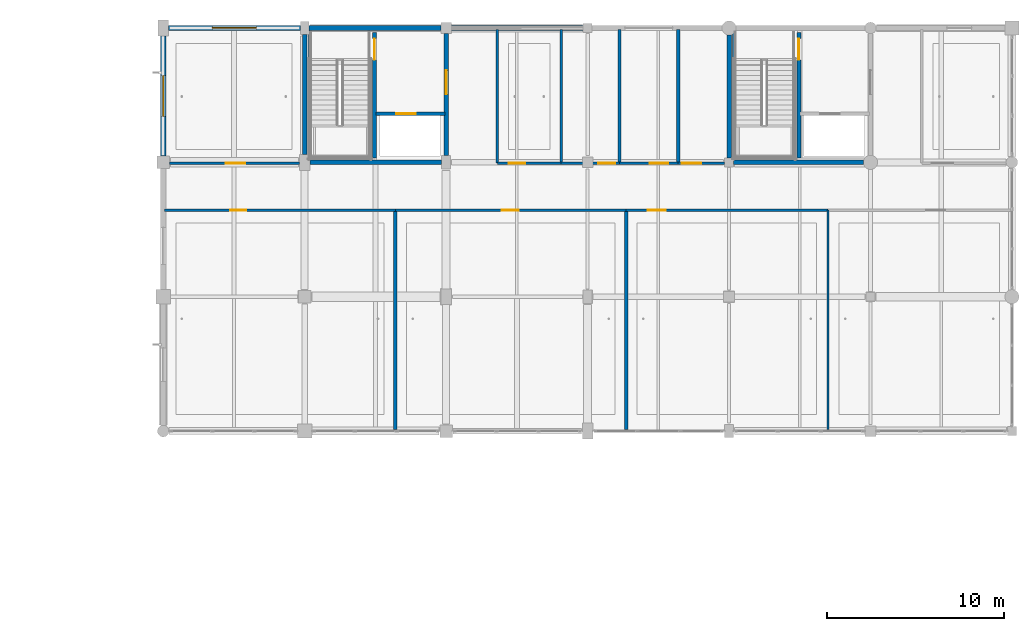
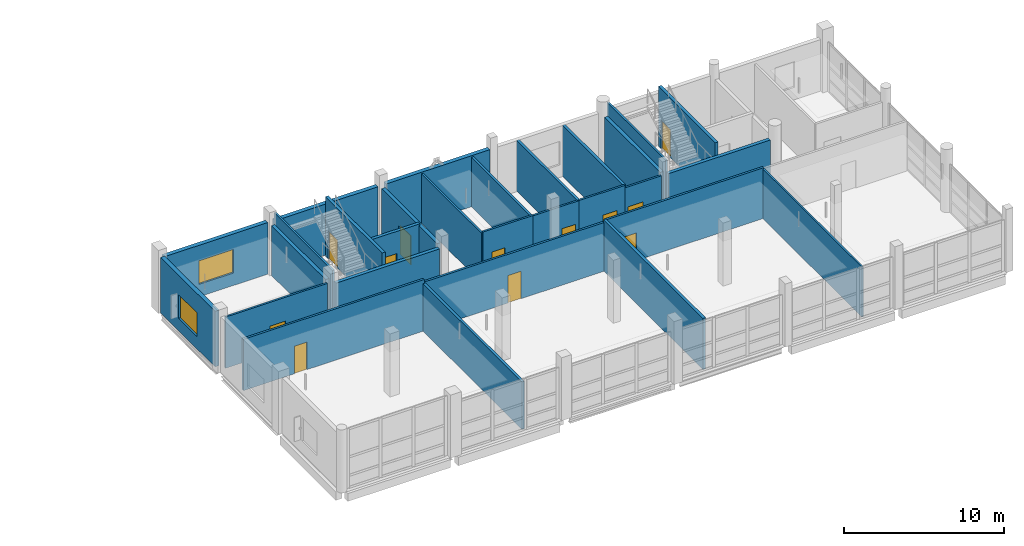
# One storey, part 35 of 46: 29 walls, 12 doors, 2 windows, 14 openings.
"""IFC4 building model written with IfcOpenShell, lengths in metres."""

from ifc_helpers import new_model, si_unit, direction, frame, frame_2d, origin, place, context, subcontext, project, spatial, rectangle, extrude, material, layer, layer_set, type_object, element, fill, save


model = new_model("IFC4")

# Units and contexts
model_context = context("Model", 3, precision=1e-05, world=origin(), true_north=direction((0.0, 1.0)))
body_context = subcontext(model_context, "Body", "Model", "MODEL_VIEW")
ifc_project = project(units=[si_unit("LENGTHUNIT", "METRE"), si_unit("AREAUNIT", "SQUARE_METRE"), si_unit("VOLUMEUNIT", "CUBIC_METRE"), si_unit("PLANEANGLEUNIT", "RADIAN"), si_unit("MASSUNIT", "GRAM", prefix="KILO")], contexts=[model_context])

# Site, building, storey
site_placement = place(None, origin())
site = spatial("IfcSite", under=ifc_project, at=site_placement, CompositionType="ELEMENT")
building_placement = place(site_placement, origin())
building = spatial("IfcBuilding", under=site, at=building_placement, Name="Khelvaren Railside Concert Hall", CompositionType="ELEMENT")
storey_placement = place(building_placement, frame((0.0, 0.0, 19.800048828125)))
storey = spatial("IfcBuildingStorey", under=building, at=storey_placement, Name="L04", CompositionType="ELEMENT", Elevation=19.800048828125)

# Walls
ifc_material_1 = material(Name="Concrete C40/50", Category="concrete")
ifc_layer_1 = layer(ifc_material_1, 0.139892578125)
ifc_layer_set_1 = layer_set([ifc_layer_1], Name="Concrete C40/50")
wall_type_1 = type_object("IfcWallType", Name="CW17", PredefinedType="SOLIDWALL", material=ifc_layer_set_1)
for number, where, z_axis, x_axis, name in (
    (1, (144.27490234375, 106.550048828125, 0.0), (0.0, 0.0, 1.0), (0.0, 1.0, 0.0), "Core Shaft Structural Liner Wall ST-09-L04"),
    (2, (168.27490234375, 106.550048828125, 0.0), (0.0, 0.0, 1.0), (0.0, 1.0, 0.0), "Core Shaft Structural Liner Wall ST-10-L04"),
):
    element("IfcWall", number, at=place(storey_placement, frame(where, z_axis=z_axis, x_axis=x_axis)), inside=storey, type_object=wall_type_1, Name=name, PredefinedType="SOLIDWALL", context=body_context, shape_type="SweptSolid", body=[
        extrude(rectangle(XDim=7.300048828125, YDim=0.139892578125, at=frame_2d((3.64990234375, 0.0))), origin(), (0.0, 0.0, 1.0), 4.5400390625),
    ])
ifc_layer_2 = layer(ifc_material_1, 0.25)
ifc_layer_set_2 = layer_set([ifc_layer_2], Name="Concrete C40/50")
wall_type_2 = type_object("IfcWallType", Name="CW82", PredefinedType="SOLIDWALL", material=ifc_layer_set_2)
wall_1_placement = place(storey_placement, frame((144.0, 106.85009765625, 0.0), z_axis=(0.0, 0.0, 1.0), x_axis=(0.0, 1.0, 0.0)))
element("IfcWall", 3, at=wall_1_placement, inside=storey, type_object=wall_type_2, Name="Core Enclosure Wall CWALL-ST-09-L04-W", PredefinedType="SOLIDWALL", context=body_context, shape_type="SweptSolid", body=[
    extrude(rectangle(XDim=6.77490234375, YDim=0.25, at=frame_2d((3.387451171875, 0.0))), origin(), (0.0, 0.0, 1.0), 3.7900390625),
])
wall_2_placement = place(storey_placement, frame((144.300048828125, 106.39990234375, 0.0), z_axis=(0.0, 0.0, 1.0), x_axis=(1.0, 0.0, 0.0)))
element("IfcWall", 4, at=wall_2_placement, inside=storey, type_object=wall_type_2, Name="Core Enclosure Wall CWALL-ST-09-L04-S", PredefinedType="SOLIDWALL", context=body_context, shape_type="SweptSolid", body=[
    extrude(rectangle(XDim=7.449951171875, YDim=0.25, at=frame_2d((3.72509765625, 0.0))), origin(), (0.0, 0.0, 1.0), 3.71484375),
])

# Wall, opening, door
wall_3_placement = place(storey_placement, frame((152.0, 106.77490234375, 0.0), z_axis=(0.0, 0.0, 1.0), x_axis=(0.0, 1.0, 0.0)))
wall_3 = element("IfcWall", 5, at=wall_3_placement, inside=storey, type_object=wall_type_2, Name="Core Enclosure Wall CWALL-ST-09-L04-E", PredefinedType="SOLIDWALL", context=body_context, shape_type="SweptSolid", body=[
    extrude(rectangle(XDim=6.925048828125, YDim=0.25, at=frame_2d((3.46240234375, 0.0))), origin(), (0.0, 0.0, 1.0), 3.764892578125),
])
opening_1_placement = place(wall_3_placement, frame((3.47509765625, 0.0, 0.0)))
opening_1 = element("IfcOpeningElement", 6, at=opening_1_placement, cuts=wall_3, Name="Opening FDR34", PredefinedType="OPENING", context=body_context, shape_type="SweptSolid", body=[
    extrude(rectangle(XDim=1.35009765625, YDim=2.199951171875, at=frame_2d((0.675048828125, 1.10009765625))), frame((0.0, 0.135009765625, 0.0), z_axis=(0.0, -1.0, 0.0), x_axis=(1.0, 0.0, 0.0)), (0.0, 0.0, 1.0), 0.27001953125),
])
ifc_material_2 = material(Name="Acoustic fire-rated timber-core steel frame door", Category="steel")
door_type_1 = type_object("IfcDoorType", Name="FDR34", OperationType="NOTDEFINED", PredefinedType="DOOR", material=ifc_material_2)
door_1_placement = place(opening_1_placement, origin())
door_1 = element("IfcDoor", 7, at=door_1_placement, inside=storey, type_object=door_type_1, Name="Interior Door DR-ST-09-L04-LOB", OperationType="SINGLE_SWING_LEFT", OverallHeight=2.199951171875, OverallWidth=1.35009765625, PredefinedType="DOOR", context=body_context, shape_type="SweptSolid", body=[
    extrude(rectangle(XDim=1.35009765625, YDim=2.199951171875, at=frame_2d((0.675048828125, 1.10009765625))), frame((0.0, 0.02490234375, 0.0), z_axis=(0.0, -1.0, 0.0), x_axis=(1.0, 0.0, 0.0)), (0.0, 0.0, 1.0), 0.050048828125),
])
fill(opening_1, door_1)

# Walls
wall_4_placement = place(storey_placement, frame((168.0, 106.64990234375, 0.0), z_axis=(0.0, 0.0, 1.0), x_axis=(0.0, 1.0, 0.0)))
element("IfcWall", 8, at=wall_4_placement, inside=storey, type_object=wall_type_2, Name="Core Enclosure Wall CWALL-ST-10-L04-W", PredefinedType="SOLIDWALL", context=body_context, shape_type="SweptSolid", body=[
    extrude(rectangle(XDim=6.9501953125, YDim=0.25, at=frame_2d((3.47509765625, 0.0))), origin(), (0.0, 0.0, 1.0), 3.6650390625),
])
wall_5_placement = place(storey_placement, frame((168.25, 106.39990234375, 0.0), z_axis=(0.0, 0.0, 1.0), x_axis=(1.0, 0.0, 0.0)))
element("IfcWall", 9, at=wall_5_placement, inside=storey, type_object=wall_type_2, Name="Core Enclosure Wall CWALL-ST-10-L04-S", PredefinedType="SOLIDWALL", context=body_context, shape_type="SweptSolid", body=[
    extrude(rectangle(XDim=7.35009765625, YDim=0.25, at=frame_2d((3.675048828125, 0.0))), origin(), (0.0, 0.0, 1.0), 3.6650390625),
])

# Wall, opening, door
ifc_layer_3 = layer(ifc_material_1, 0.219970703125)
ifc_layer_set_3 = layer_set([ifc_layer_3], Name="Concrete C40/50")
wall_type_3 = type_object("IfcWallType", Name="CW97", PredefinedType="SOLIDWALL", material=ifc_layer_set_3)
wall_6_placement = place(storey_placement, frame((147.949951171875, 106.64990234375, 0.0), z_axis=(0.0, 0.0, 1.0), x_axis=(0.0, 1.0, 0.0)))
wall_6 = element("IfcWall", 10, at=wall_6_placement, inside=storey, type_object=wall_type_3, Name="Core Enclosure Wall CWALL-ST-09-L04-MID", PredefinedType="SOLIDWALL", context=body_context, shape_type="SweptSolid", body=[
    extrude(rectangle(XDim=7.10009765625, YDim=0.219970703125, at=frame_2d((3.550048828125, 0.0))), origin(), (0.0, 0.0, 1.0), 4.5400390625),
])
opening_2_placement = place(wall_6_placement, frame((5.550048828125, 0.0, 0.0)))
opening_2 = element("IfcOpeningElement", 11, at=opening_2_placement, cuts=wall_6, Name="Opening FDR17", PredefinedType="OPENING", context=body_context, shape_type="SweptSolid", body=[
    extrude(rectangle(XDim=1.199951171875, YDim=2.14990234375, at=frame_2d((0.60009765625, 1.074951171875))), frame((0.0, 0.119873046875, 0.0), z_axis=(0.0, -1.0, 0.0), x_axis=(1.0, 0.0, 0.0)), (0.0, 0.0, 1.0), 0.239990234375),
])
door_type_2 = type_object("IfcDoorType", Name="FDR17", OperationType="NOTDEFINED", PredefinedType="DOOR", material=ifc_material_2)
door_2_placement = place(opening_2_placement, origin())
door_2 = element("IfcDoor", 12, at=door_2_placement, inside=storey, type_object=door_type_2, Name="Interior Door DR-ST-09-L04-ST", OperationType="SINGLE_SWING_RIGHT", OverallHeight=2.14990234375, OverallWidth=1.199951171875, PredefinedType="DOOR", context=body_context, shape_type="SweptSolid", body=[
    extrude(rectangle(XDim=1.199951171875, YDim=2.14990234375, at=frame_2d((0.60009765625, 1.074951171875))), frame((0.0, 0.02490234375, 0.0), z_axis=(0.0, -1.0, 0.0), x_axis=(1.0, 0.0, 0.0)), (0.0, 0.0, 1.0), 0.050048828125),
])
fill(opening_2, door_2)

wall_7_placement = place(storey_placement, frame((148.02001953125, 109.14990234375, 0.0), z_axis=(0.0, 0.0, 1.0), x_axis=(1.0, 0.0, 0.0)))
wall_7 = element("IfcWall", 13, at=wall_7_placement, inside=storey, type_object=wall_type_3, Name="Core Enclosure Wall CWALL-ST-09-L04-SHF", PredefinedType="SOLIDWALL", context=body_context, shape_type="SweptSolid", body=[
    extrude(rectangle(XDim=3.929931640625, YDim=0.219970703125, at=frame_2d((1.96484375, 0.0))), origin(), (0.0, 0.0, 1.0), 3.889892578125),
])
opening_3_placement = place(wall_7_placement, frame((1.14990234375, 0.0, 0.0)))
opening_3 = element("IfcOpeningElement", 14, at=opening_3_placement, cuts=wall_7, Name="Opening LD-FL-02", PredefinedType="OPENING", context=body_context, shape_type="SweptSolid", body=[
    extrude(rectangle(XDim=1.10009765625, YDim=2.199951171875, at=frame_2d((0.550048828125, 1.10009765625))), frame((0.0, 0.119873046875, 0.0), z_axis=(0.0, -1.0, 0.0), x_axis=(1.0, 0.0, 0.0)), (0.0, 0.0, 1.0), 0.239990234375),
])
ifc_material_3 = material(Name="Fire-rated brushed stainless steel landing door", Category="steel")
door_type_3 = type_object("IfcDoorType", Name="LD96", OperationType="DOUBLE_DOOR_SLIDING", PredefinedType="DOOR", material=ifc_material_3)
door_3_placement = place(opening_3_placement, origin())
door_3 = element("IfcDoor", 15, at=door_3_placement, inside=storey, type_object=door_type_3, Name="Lift Landing Door LD-FL-02-L04", OperationType="DOUBLE_DOOR_SLIDING", OverallHeight=2.199951171875, OverallWidth=1.10009765625, PredefinedType="DOOR", context=body_context, shape_type="SweptSolid", body=[
    extrude(rectangle(XDim=1.10009765625, YDim=2.199951171875, at=frame_2d((0.550048828125, 1.10009765625))), frame((0.0, 0.02490234375, 0.0), z_axis=(0.0, -1.0, 0.0), x_axis=(1.0, 0.0, 0.0)), (0.0, 0.0, 1.0), 0.050048828125),
])
fill(opening_3, door_3)

wall_8_placement = place(storey_placement, frame((171.949951171875, 106.64990234375, 0.0), z_axis=(0.0, 0.0, 1.0), x_axis=(0.0, 1.0, 0.0)))
wall_8 = element("IfcWall", 16, at=wall_8_placement, inside=storey, type_object=wall_type_3, Name="Core Enclosure Wall CWALL-ST-10-L04-MID", PredefinedType="SOLIDWALL", context=body_context, shape_type="SweptSolid", body=[
    extrude(rectangle(XDim=7.10009765625, YDim=0.219970703125, at=frame_2d((3.550048828125, 0.0))), origin(), (0.0, 0.0, 1.0), 4.5400390625),
])
opening_4_placement = place(wall_8_placement, frame((5.550048828125, 0.0, 0.0)))
opening_4 = element("IfcOpeningElement", 17, at=opening_4_placement, cuts=wall_8, Name="Opening FDR17", PredefinedType="OPENING", context=body_context, shape_type="SweptSolid", body=[
    extrude(rectangle(XDim=1.199951171875, YDim=2.14990234375, at=frame_2d((0.60009765625, 1.074951171875))), frame((0.0, 0.119873046875, 0.0), z_axis=(0.0, -1.0, 0.0), x_axis=(1.0, 0.0, 0.0)), (0.0, 0.0, 1.0), 0.239990234375),
])
door_4_placement = place(opening_4_placement, origin())
door_4 = element("IfcDoor", 18, at=door_4_placement, inside=storey, type_object=door_type_2, Name="Interior Door DR-ST-10-L04-ST", OperationType="SINGLE_SWING_RIGHT", OverallHeight=2.14990234375, OverallWidth=1.199951171875, PredefinedType="DOOR", context=body_context, shape_type="SweptSolid", body=[
    extrude(rectangle(XDim=1.199951171875, YDim=2.14990234375, at=frame_2d((0.60009765625, 1.074951171875))), frame((0.0, 0.02490234375, 0.0), z_axis=(0.0, -1.0, 0.0), x_axis=(1.0, 0.0, 0.0)), (0.0, 0.0, 1.0), 0.050048828125),
])
fill(opening_4, door_4)

# Wall, opening, window
ifc_material_4 = material(Name="Board-marked architectural concrete C40/50", Category="concrete")
ifc_layer_4 = layer(ifc_material_4, 0.300048828125)
ifc_layer_set_4 = layer_set([ifc_layer_4], Name="Board-marked architectural concrete C40/50")
wall_type_4 = type_object("IfcWallType", Name="EW54", PredefinedType="SOLIDWALL", material=ifc_layer_set_4)
wall_9_placement = place(storey_placement, frame((136.0, 106.75, 0.0), z_axis=(0.0, 0.0, 1.0), x_axis=(0.0, 1.0, 0.0)))
wall_9 = element("IfcWall", 19, at=wall_9_placement, inside=storey, type_object=wall_type_4, Name="V5 L04 Exterior Concrete Wall W-106", PredefinedType="SOLIDWALL", context=body_context, shape_type="SweptSolid", body=[
    extrude(rectangle(XDim=6.800048828125, YDim=0.300048828125, at=frame_2d((3.39990234375, 0.0))), origin(), (0.0, 0.0, 1.0), 4.22998046875),
])
opening_5_placement = place(wall_9_placement, frame((2.25, 0.0, 0.949951171875)))
opening_5 = element("IfcOpeningElement", 20, at=opening_5_placement, cuts=wall_9, Name="Opening WN63", PredefinedType="OPENING", context=body_context, shape_type="SweptSolid", body=[
    extrude(rectangle(XDim=2.300048828125, YDim=1.800048828125, at=frame_2d((1.14990234375, 0.89990234375))), frame((0.0, 0.159912109375, 0.0), z_axis=(0.0, -1.0, 0.0), x_axis=(1.0, 0.0, 0.0)), (0.0, 0.0, 1.0), 0.320068359375),
])
ifc_material_5 = material(Name="Triple-glazed acoustic aluminium window", Category="aluminium")
window_type_1 = type_object("IfcWindowType", Name="WN63", PartitioningType="DOUBLE_PANEL_VERTICAL", PredefinedType="WINDOW", material=ifc_material_5)
window_1_placement = place(opening_5_placement, origin())
window_1 = element("IfcWindow", 21, at=window_1_placement, inside=storey, type_object=window_type_1, Name="Acoustic Facade Window EW-V5-L04-W-106", OverallHeight=1.800048828125, OverallWidth=2.300048828125, PartitioningType="DOUBLE_PANEL_VERTICAL", PredefinedType="WINDOW", context=body_context, shape_type="SweptSolid", body=[
    extrude(rectangle(XDim=2.300048828125, YDim=1.800048828125, at=frame_2d((1.14990234375, 0.89990234375))), frame((0.0, 0.030029296875, 0.0), z_axis=(0.0, -1.0, 0.0), x_axis=(1.0, 0.0, 0.0)), (0.0, 0.0, 1.0), 0.06005859375),
])
fill(opening_5, window_1)

wall_10_placement = place(storey_placement, frame((136.300048828125, 114.0, 0.0), z_axis=(0.0, 0.0, 1.0), x_axis=(1.0, 0.0, 0.0)))
wall_10 = element("IfcWall", 22, at=wall_10_placement, inside=storey, type_object=wall_type_4, Name="V5 L04 Exterior Concrete Wall N-136", PredefinedType="SOLIDWALL", context=body_context, shape_type="SweptSolid", body=[
    extrude(rectangle(XDim=7.449951171875, YDim=0.300048828125, at=frame_2d((3.72509765625, 0.0))), origin(), (0.0, 0.0, 1.0), 3.929931640625),
])
opening_6_placement = place(wall_10_placement, frame((2.47509765625, 0.0, 0.949951171875)))
opening_6 = element("IfcOpeningElement", 23, at=opening_6_placement, cuts=wall_10, Name="Opening WN27", PredefinedType="OPENING", context=body_context, shape_type="SweptSolid", body=[
    extrude(rectangle(XDim=2.5, YDim=1.800048828125, at=frame_2d((1.25, 0.89990234375))), frame((0.0, 0.159912109375, 0.0), z_axis=(0.0, -1.0, 0.0), x_axis=(1.0, 0.0, 0.0)), (0.0, 0.0, 1.0), 0.320068359375),
])
window_type_2 = type_object("IfcWindowType", Name="WN27", PartitioningType="DOUBLE_PANEL_VERTICAL", PredefinedType="WINDOW", material=ifc_material_5)
window_2_placement = place(opening_6_placement, origin())
window_2 = element("IfcWindow", 24, at=window_2_placement, inside=storey, type_object=window_type_2, Name="Acoustic Facade Window EW-V5-L04-N-136", OverallHeight=1.800048828125, OverallWidth=2.5, PartitioningType="DOUBLE_PANEL_VERTICAL", PredefinedType="WINDOW", context=body_context, shape_type="SweptSolid", body=[
    extrude(rectangle(XDim=2.5, YDim=1.800048828125, at=frame_2d((1.25, 0.89990234375))), frame((0.0, 0.030029296875, 0.0), z_axis=(0.0, -1.0, 0.0), x_axis=(1.0, 0.0, 0.0)), (0.0, 0.0, 1.0), 0.06005859375),
])
fill(opening_6, window_2)

# Walls
for number, where, z_axis, x_axis, name in (
    (25, (144.25, 114.0, 0.0), (0.0, 0.0, 1.0), (1.0, 0.0, 0.0), "V5 L04 Exterior Concrete Wall N-144"),
    (26, (152.300048828125, 114.0, 0.0), (0.0, 0.0, 1.0), (1.0, 0.0, 0.0), "V5 L04 Exterior Concrete Wall N-152"),
):
    element("IfcWall", number, at=place(storey_placement, frame(where, z_axis=z_axis, x_axis=x_axis)), inside=storey, type_object=wall_type_4, Name=name, PredefinedType="SOLIDWALL", context=body_context, shape_type="SweptSolid", body=[
        extrude(rectangle(XDim=7.449951171875, YDim=0.300048828125, at=frame_2d((3.72509765625, 0.0))), origin(), (0.0, 0.0, 1.0), 3.8798828125),
    ])
ifc_material_6 = material(Name="Acoustic double-stud gypsum partition", Category="gypsum")
ifc_layer_5 = layer(ifc_material_6, 0.179931640625)
ifc_layer_set_5 = layer_set([ifc_layer_5], Name="Acoustic double-stud gypsum partition")
wall_type_5 = type_object("IfcWallType", Name="PT53", PredefinedType="PARTITIONING", material=ifc_layer_set_5)
wall_11_placement = place(storey_placement, frame((149.126953125, 91.280029296875, 0.0), z_axis=(0.0, 0.0, 1.0), x_axis=(0.0, 1.0, 0.0)))
element("IfcWall", 27, at=wall_11_placement, inside=storey, type_object=wall_type_5, Name="Acoustic Partition Wall PW-V5-L04-S-D01", PredefinedType="PARTITIONING", context=body_context, shape_type="SweptSolid", body=[
    extrude(rectangle(XDim=12.419921875, YDim=0.179931640625, at=frame_2d((6.2099609375, 0.0))), origin(), (0.0, 0.0, 1.0), 3.614990234375),
])
wall_12_placement = place(storey_placement, frame((161.81103515625, 106.35009765625, 0.0), z_axis=(0.0, 0.0, 1.0), x_axis=(0.0, 1.0, 0.0)))
element("IfcWall", 28, at=wall_12_placement, inside=storey, type_object=wall_type_5, Name="Acoustic Partition Wall PW-V5-L04-N-D02", PredefinedType="PARTITIONING", context=body_context, shape_type="SweptSolid", body=[
    extrude(rectangle(XDim=7.56982421875, YDim=0.179931640625, at=frame_2d((3.784912109375, 0.0))), origin(), (0.0, 0.0, 1.0), 3.869873046875),
])

# Wall, opening, door
ifc_layer_6 = layer(ifc_material_6, 0.139892578125)
ifc_layer_set_6 = layer_set([ifc_layer_6], Name="Acoustic double-stud gypsum partition")
wall_type_6 = type_object("IfcWallType", Name="PT55", PredefinedType="PARTITIONING", material=ifc_layer_set_6)
wall_13_placement = place(storey_placement, frame((136.35009765625, 106.35009765625, 0.0), z_axis=(0.0, 0.0, 1.0), x_axis=(1.0, 0.0, 0.0)))
wall_13 = element("IfcWall", 29, at=wall_13_placement, inside=storey, type_object=wall_type_6, Name="Acoustic Partition Wall PW-V5-L04-NW-C01", PredefinedType="PARTITIONING", context=body_context, shape_type="SweptSolid", body=[
    extrude(rectangle(XDim=7.349853515625, YDim=0.139892578125, at=frame_2d((3.6748046875, 0.0))), origin(), (0.0, 0.0, 1.0), 3.909912109375),
])
opening_7_placement = place(wall_13_placement, frame((3.175048828125, 0.0, 0.0)))
opening_7 = element("IfcOpeningElement", 30, at=opening_7_placement, cuts=wall_13, Name="Opening IDR53", PredefinedType="OPENING", context=body_context, shape_type="SweptSolid", body=[
    extrude(rectangle(XDim=1.1201171875, YDim=2.10009765625, at=frame_2d((0.56005859375, 1.050048828125))), frame((0.0, 0.079833984375, 0.0), z_axis=(0.0, -1.0, 0.0), x_axis=(1.0, 0.0, 0.0)), (0.0, 0.0, 1.0), 0.159912109375),
])
ifc_material_7 = material(Name="Solid oak acoustic studio door", Category="wood")
door_type_4 = type_object("IfcDoorType", Name="IDR53", OperationType="NOTDEFINED", PredefinedType="DOOR", material=ifc_material_7)
door_5_placement = place(opening_7_placement, origin())
door_5 = element("IfcDoor", 31, at=door_5_placement, inside=storey, type_object=door_type_4, Name="Interior Door DR-V5-L04-NW-01", OperationType="SINGLE_SWING_RIGHT", OverallHeight=2.10009765625, OverallWidth=1.1201171875, PredefinedType="DOOR", context=body_context, shape_type="SweptSolid", body=[
    extrude(rectangle(XDim=1.1201171875, YDim=2.10009765625, at=frame_2d((0.56005859375, 1.050048828125))), frame((0.0, 0.02490234375, 0.0), z_axis=(0.0, -1.0, 0.0), x_axis=(1.0, 0.0, 0.0)), (0.0, 0.0, 1.0), 0.050048828125),
])
fill(opening_7, door_5)

wall_14_placement = place(storey_placement, frame((154.89990234375, 106.35009765625, 0.0), z_axis=(0.0, 0.0, 1.0), x_axis=(1.0, 0.0, 0.0)))
wall_14 = element("IfcWall", 32, at=wall_14_placement, inside=storey, type_object=wall_type_6, Name="Acoustic Partition Wall PW-V5-L04-N-C01", PredefinedType="PARTITIONING", context=body_context, shape_type="SweptSolid", body=[
    extrude(rectangle(XDim=3.606201171875, YDim=0.139892578125, at=frame_2d((1.80322265625, 0.0))), origin(), (0.0, 0.0, 1.0), 3.89501953125),
])
opening_8_placement = place(wall_14_placement, frame((0.6533203125, 0.0, 0.0)))
opening_8 = element("IfcOpeningElement", 33, at=opening_8_placement, cuts=wall_14, Name="Opening IDR15", PredefinedType="OPENING", context=body_context, shape_type="SweptSolid", body=[
    extrude(rectangle(XDim=0.919921875, YDim=2.14990234375, at=frame_2d((0.4599609375, 1.074951171875))), frame((0.0, 0.079833984375, 0.0), z_axis=(0.0, -1.0, 0.0), x_axis=(1.0, 0.0, 0.0)), (0.0, 0.0, 1.0), 0.159912109375),
])
door_type_5 = type_object("IfcDoorType", Name="IDR15", OperationType="NOTDEFINED", PredefinedType="DOOR", material=ifc_material_7)
door_6_placement = place(opening_8_placement, origin())
door_6 = element("IfcDoor", 34, at=door_6_placement, inside=storey, type_object=door_type_5, Name="Interior Door DR-V5-L04-N-01", OperationType="SINGLE_SWING_LEFT", OverallHeight=2.14990234375, OverallWidth=0.919921875, PredefinedType="DOOR", context=body_context, shape_type="SweptSolid", body=[
    extrude(rectangle(XDim=0.919921875, YDim=2.14990234375, at=frame_2d((0.4599609375, 1.074951171875))), frame((0.0, 0.02490234375, 0.0), z_axis=(0.0, -1.0, 0.0), x_axis=(1.0, 0.0, 0.0)), (0.0, 0.0, 1.0), 0.050048828125),
])
fill(opening_8, door_6)

wall_15_placement = place(storey_placement, frame((158.506103515625, 106.35009765625, 0.0), z_axis=(0.0, 0.0, 1.0), x_axis=(1.0, 0.0, 0.0)))
wall_15 = element("IfcWall", 35, at=wall_15_placement, inside=storey, type_object=wall_type_6, Name="Acoustic Partition Wall PW-V5-L04-N-C02", PredefinedType="PARTITIONING", context=body_context, shape_type="SweptSolid", body=[
    extrude(rectangle(XDim=3.304931640625, YDim=0.139892578125, at=frame_2d((1.65234375, 0.0))), origin(), (0.0, 0.0, 1.0), 3.864990234375),
])
opening_9_placement = place(wall_15_placement, frame((2.0849609375, 0.0, 0.0)))
opening_9 = element("IfcOpeningElement", 36, at=opening_9_placement, cuts=wall_15, Name="Opening IDR67", PredefinedType="OPENING", context=body_context, shape_type="SweptSolid", body=[
    extrude(rectangle(XDim=0.97998046875, YDim=2.14990234375, at=frame_2d((0.489990234375, 1.074951171875))), frame((0.0, 0.079833984375, 0.0), z_axis=(0.0, -1.0, 0.0), x_axis=(1.0, 0.0, 0.0)), (0.0, 0.0, 1.0), 0.159912109375),
])
door_type_6 = type_object("IfcDoorType", Name="IDR67", OperationType="NOTDEFINED", PredefinedType="DOOR", material=ifc_material_7)
door_7_placement = place(opening_9_placement, origin())
door_7 = element("IfcDoor", 37, at=door_7_placement, inside=storey, type_object=door_type_6, Name="Interior Door DR-V5-L04-N-02", OperationType="SINGLE_SWING_RIGHT", OverallHeight=2.14990234375, OverallWidth=0.97998046875, PredefinedType="DOOR", context=body_context, shape_type="SweptSolid", body=[
    extrude(rectangle(XDim=0.97998046875, YDim=2.14990234375, at=frame_2d((0.489990234375, 1.074951171875))), frame((0.0, 0.02490234375, 0.0), z_axis=(0.0, -1.0, 0.0), x_axis=(1.0, 0.0, 0.0)), (0.0, 0.0, 1.0), 0.050048828125),
])
fill(opening_9, door_7)

wall_16_placement = place(storey_placement, frame((161.81103515625, 106.35009765625, 0.0), z_axis=(0.0, 0.0, 1.0), x_axis=(1.0, 0.0, 0.0)))
wall_16 = element("IfcWall", 38, at=wall_16_placement, inside=storey, type_object=wall_type_6, Name="Acoustic Partition Wall PW-V5-L04-N-C03", PredefinedType="PARTITIONING", context=body_context, shape_type="SweptSolid", body=[
    extrude(rectangle(XDim=3.304931640625, YDim=0.139892578125, at=frame_2d((1.65234375, 0.0))), origin(), (0.0, 0.0, 1.0), 3.869873046875),
])
opening_10_placement = place(wall_16_placement, frame((1.7119140625, 0.0, 0.0)))
opening_10 = element("IfcOpeningElement", 39, at=opening_10_placement, cuts=wall_16, Name="Opening IDR24", PredefinedType="OPENING", context=body_context, shape_type="SweptSolid", body=[
    extrude(rectangle(XDim=1.0400390625, YDim=2.14990234375, at=frame_2d((0.52001953125, 1.074951171875))), frame((0.0, 0.079833984375, 0.0), z_axis=(0.0, -1.0, 0.0), x_axis=(1.0, 0.0, 0.0)), (0.0, 0.0, 1.0), 0.159912109375),
])
door_type_7 = type_object("IfcDoorType", Name="IDR24", OperationType="NOTDEFINED", PredefinedType="DOOR", material=ifc_material_7)
door_8_placement = place(opening_10_placement, origin())
door_8 = element("IfcDoor", 40, at=door_8_placement, inside=storey, type_object=door_type_7, Name="Interior Door DR-V5-L04-N-03", OperationType="SINGLE_SWING_LEFT", OverallHeight=2.14990234375, OverallWidth=1.0400390625, PredefinedType="DOOR", context=body_context, shape_type="SweptSolid", body=[
    extrude(rectangle(XDim=1.0400390625, YDim=2.14990234375, at=frame_2d((0.52001953125, 1.074951171875))), frame((0.0, 0.02490234375, 0.0), z_axis=(0.0, -1.0, 0.0), x_axis=(1.0, 0.0, 0.0)), (0.0, 0.0, 1.0), 0.050048828125),
])
fill(opening_10, door_8)

wall_17_placement = place(storey_placement, frame((165.115966796875, 106.35009765625, 0.0), z_axis=(0.0, 0.0, 1.0), x_axis=(1.0, 0.0, 0.0)))
wall_17 = element("IfcWall", 41, at=wall_17_placement, inside=storey, type_object=wall_type_6, Name="Acoustic Partition Wall PW-V5-L04-N-C04", PredefinedType="PARTITIONING", context=body_context, shape_type="SweptSolid", body=[
    extrude(rectangle(XDim=2.634033203125, YDim=0.139892578125, at=frame_2d((1.31689453125, 0.0))), origin(), (0.0, 0.0, 1.0), 3.679931640625),
])
opening_11_placement = place(wall_17_placement, frame((0.219970703125, 0.0, 0.0)))
opening_11 = element("IfcOpeningElement", 42, at=opening_11_placement, cuts=wall_17, Name="Opening IDR45", PredefinedType="OPENING", context=body_context, shape_type="SweptSolid", body=[
    extrude(rectangle(XDim=1.10009765625, YDim=2.14990234375, at=frame_2d((0.550048828125, 1.074951171875))), frame((0.0, 0.079833984375, 0.0), z_axis=(0.0, -1.0, 0.0), x_axis=(1.0, 0.0, 0.0)), (0.0, 0.0, 1.0), 0.159912109375),
])
door_type_8 = type_object("IfcDoorType", Name="IDR45", OperationType="NOTDEFINED", PredefinedType="DOOR", material=ifc_material_7)
door_9_placement = place(opening_11_placement, origin())
door_9 = element("IfcDoor", 43, at=door_9_placement, inside=storey, type_object=door_type_8, Name="Interior Door DR-V5-L04-N-04", OperationType="SINGLE_SWING_RIGHT", OverallHeight=2.14990234375, OverallWidth=1.10009765625, PredefinedType="DOOR", context=body_context, shape_type="SweptSolid", body=[
    extrude(rectangle(XDim=1.10009765625, YDim=2.14990234375, at=frame_2d((0.550048828125, 1.074951171875))), frame((0.0, 0.02490234375, 0.0), z_axis=(0.0, -1.0, 0.0), x_axis=(1.0, 0.0, 0.0)), (0.0, 0.0, 1.0), 0.050048828125),
])
fill(opening_11, door_9)

# Wall
wall_18_placement = place(storey_placement, frame((154.89990234375, 106.35009765625, 0.0), z_axis=(0.0, 0.0, 1.0), x_axis=(0.0, 1.0, 0.0)))
element("IfcWall", 44, at=wall_18_placement, inside=storey, type_object=wall_type_6, Name="Acoustic Partition Wall PW-V5-L04-N-W0", PredefinedType="PARTITIONING", context=body_context, shape_type="SweptSolid", body=[
    extrude(rectangle(XDim=7.56982421875, YDim=0.139892578125, at=frame_2d((3.784912109375, 0.0))), origin(), (0.0, 0.0, 1.0), 3.764892578125),
])

# Wall, opening, door
ifc_layer_7 = layer(ifc_material_6, 0.14990234375)
ifc_layer_set_7 = layer_set([ifc_layer_7], Name="Acoustic double-stud gypsum partition")
wall_type_7 = type_object("IfcWallType", Name="PT72", PredefinedType="PARTITIONING", material=ifc_layer_set_7)
wall_19_placement = place(storey_placement, frame((136.080078125, 103.699951171875, 0.0), z_axis=(0.0, 0.0, 1.0), x_axis=(1.0, 0.0, 0.0)))
wall_19 = element("IfcWall", 45, at=wall_19_placement, inside=storey, type_object=wall_type_7, Name="Acoustic Partition Wall PW-V5-L04-S-C01", PredefinedType="PARTITIONING", context=body_context, shape_type="SweptSolid", body=[
    extrude(rectangle(XDim=13.046875, YDim=0.14990234375, at=frame_2d((6.5234375, 0.0))), origin(), (0.0, 0.0, 1.0), 3.909912109375),
])
opening_12_placement = place(wall_19_placement, frame((3.7021484375, 0.0, 0.0)))
opening_12 = element("IfcOpeningElement", 46, at=opening_12_placement, cuts=wall_19, Name="Opening IDR56", PredefinedType="OPENING", context=body_context, shape_type="SweptSolid", body=[
    extrude(rectangle(XDim=0.89990234375, YDim=2.10009765625, at=frame_2d((0.449951171875, 1.050048828125))), frame((0.0, 0.0849609375, 0.0), z_axis=(0.0, -1.0, 0.0), x_axis=(1.0, 0.0, 0.0)), (0.0, 0.0, 1.0), 0.169921875),
])
door_type_9 = type_object("IfcDoorType", Name="IDR56", OperationType="NOTDEFINED", PredefinedType="DOOR", material=ifc_material_7)
door_10_placement = place(opening_12_placement, origin())
door_10 = element("IfcDoor", 47, at=door_10_placement, inside=storey, type_object=door_type_9, Name="Interior Door DR-V5-L04-S-01", OperationType="SINGLE_SWING_RIGHT", OverallHeight=2.10009765625, OverallWidth=0.89990234375, PredefinedType="DOOR", context=body_context, shape_type="SweptSolid", body=[
    extrude(rectangle(XDim=0.89990234375, YDim=2.10009765625, at=frame_2d((0.449951171875, 1.050048828125))), frame((0.0, 0.02490234375, 0.0), z_axis=(0.0, -1.0, 0.0), x_axis=(1.0, 0.0, 0.0)), (0.0, 0.0, 1.0), 0.050048828125),
])
fill(opening_12, door_10)

wall_20_placement = place(storey_placement, frame((149.126953125, 103.699951171875, 0.0), z_axis=(0.0, 0.0, 1.0), x_axis=(1.0, 0.0, 0.0)))
wall_20 = element("IfcWall", 48, at=wall_20_placement, inside=storey, type_object=wall_type_7, Name="Acoustic Partition Wall PW-V5-L04-S-C02", PredefinedType="PARTITIONING", context=body_context, shape_type="SweptSolid", body=[
    extrude(rectangle(XDim=13.047119140625, YDim=0.14990234375, at=frame_2d((6.5234375, 0.0))), origin(), (0.0, 0.0, 1.0), 3.71484375),
])
opening_13_placement = place(wall_20_placement, frame((6.0234375, 0.0, 0.0)))
opening_13 = element("IfcOpeningElement", 49, at=opening_13_placement, cuts=wall_20, Name="Opening IDR22", PredefinedType="OPENING", context=body_context, shape_type="SweptSolid", body=[
    extrude(rectangle(XDim=0.9599609375, YDim=2.10009765625, at=frame_2d((0.47998046875, 1.050048828125))), frame((0.0, 0.0849609375, 0.0), z_axis=(0.0, -1.0, 0.0), x_axis=(1.0, 0.0, 0.0)), (0.0, 0.0, 1.0), 0.169921875),
])
door_type_10 = type_object("IfcDoorType", Name="IDR22", OperationType="NOTDEFINED", PredefinedType="DOOR", material=ifc_material_7)
door_11_placement = place(opening_13_placement, origin())
door_11 = element("IfcDoor", 50, at=door_11_placement, inside=storey, type_object=door_type_10, Name="Interior Door DR-V5-L04-S-02", OperationType="SINGLE_SWING_LEFT", OverallHeight=2.10009765625, OverallWidth=0.9599609375, PredefinedType="DOOR", context=body_context, shape_type="SweptSolid", body=[
    extrude(rectangle(XDim=0.9599609375, YDim=2.10009765625, at=frame_2d((0.47998046875, 1.050048828125))), frame((0.0, 0.02490234375, 0.0), z_axis=(0.0, -1.0, 0.0), x_axis=(1.0, 0.0, 0.0)), (0.0, 0.0, 1.0), 0.050048828125),
])
fill(opening_13, door_11)

wall_21_placement = place(storey_placement, frame((162.174072265625, 103.699951171875, 0.0), z_axis=(0.0, 0.0, 1.0), x_axis=(1.0, 0.0, 0.0)))
wall_21 = element("IfcWall", 51, at=wall_21_placement, inside=storey, type_object=wall_type_7, Name="Acoustic Partition Wall PW-V5-L04-S-C03", PredefinedType="PARTITIONING", context=body_context, shape_type="SweptSolid", body=[
    extrude(rectangle(XDim=11.416015625, YDim=0.14990234375, at=frame_2d((5.7080078125, 0.0))), origin(), (0.0, 0.0, 1.0), 3.864990234375),
])
opening_14_placement = place(wall_21_placement, frame((1.217529296875, 0.0, 0.0)))
opening_14 = element("IfcOpeningElement", 52, at=opening_14_placement, cuts=wall_21, Name="Opening IDR87", PredefinedType="OPENING", context=body_context, shape_type="SweptSolid", body=[
    extrude(rectangle(XDim=1.02001953125, YDim=2.10009765625, at=frame_2d((0.510009765625, 1.050048828125))), frame((0.0, 0.0849609375, 0.0), z_axis=(0.0, -1.0, 0.0), x_axis=(1.0, 0.0, 0.0)), (0.0, 0.0, 1.0), 0.169921875),
])
door_type_11 = type_object("IfcDoorType", Name="IDR87", OperationType="NOTDEFINED", PredefinedType="DOOR", material=ifc_material_7)
door_12_placement = place(opening_14_placement, origin())
door_12 = element("IfcDoor", 53, at=door_12_placement, inside=storey, type_object=door_type_11, Name="Interior Door DR-V5-L04-S-03", OperationType="SINGLE_SWING_RIGHT", OverallHeight=2.10009765625, OverallWidth=1.02001953125, PredefinedType="DOOR", context=body_context, shape_type="SweptSolid", body=[
    extrude(rectangle(XDim=1.02001953125, YDim=2.10009765625, at=frame_2d((0.510009765625, 1.050048828125))), frame((0.0, 0.02490234375, 0.0), z_axis=(0.0, -1.0, 0.0), x_axis=(1.0, 0.0, 0.0)), (0.0, 0.0, 1.0), 0.050048828125),
])
fill(opening_14, door_12)

# Walls
ifc_layer_8 = layer(ifc_material_6, 0.1201171875)
ifc_layer_set_8 = layer_set([ifc_layer_8], Name="Acoustic double-stud gypsum partition")
wall_type_8 = type_object("IfcWallType", Name="PT74", PredefinedType="PARTITIONING", material=ifc_layer_set_8)
wall_22_placement = place(storey_placement, frame((173.590087890625, 91.280029296875, 0.0), z_axis=(0.0, 0.0, 1.0), x_axis=(0.0, 1.0, 0.0)))
element("IfcWall", 54, at=wall_22_placement, inside=storey, type_object=wall_type_8, Name="Acoustic Partition Wall PW-V5-L04-S-D03", PredefinedType="PARTITIONING", context=body_context, shape_type="SweptSolid", body=[
    extrude(rectangle(XDim=12.419921875, YDim=0.1201171875, at=frame_2d((6.2099609375, 0.0))), origin(), (0.0, 0.0, 1.0), 3.7900390625),
])
ifc_layer_9 = layer(ifc_material_6, 0.199951171875)
ifc_layer_set_9 = layer_set([ifc_layer_9], Name="Acoustic double-stud gypsum partition")
wall_type_9 = type_object("IfcWallType", Name="PT75", PredefinedType="PARTITIONING", material=ifc_layer_set_9)
wall_23_placement = place(storey_placement, frame((162.174072265625, 91.280029296875, 0.0), z_axis=(0.0, 0.0, 1.0), x_axis=(0.0, 1.0, 0.0)))
element("IfcWall", 55, at=wall_23_placement, inside=storey, type_object=wall_type_9, Name="Acoustic Partition Wall PW-V5-L04-S-D02", PredefinedType="PARTITIONING", context=body_context, shape_type="SweptSolid", body=[
    extrude(rectangle(XDim=12.419921875, YDim=0.199951171875, at=frame_2d((6.2099609375, 0.0))), origin(), (0.0, 0.0, 1.0), 3.89501953125),
])
wall_24_placement = place(storey_placement, frame((165.115966796875, 106.35009765625, 0.0), z_axis=(0.0, 0.0, 1.0), x_axis=(0.0, 1.0, 0.0)))
element("IfcWall", 56, at=wall_24_placement, inside=storey, type_object=wall_type_9, Name="Acoustic Partition Wall PW-V5-L04-N-D03", PredefinedType="PARTITIONING", context=body_context, shape_type="SweptSolid", body=[
    extrude(rectangle(XDim=7.56982421875, YDim=0.199951171875, at=frame_2d((3.784912109375, 0.0))), origin(), (0.0, 0.0, 1.0), 3.869873046875),
])
ifc_layer_10 = layer(ifc_material_6, 0.159912109375)
ifc_layer_set_10 = layer_set([ifc_layer_10], Name="Acoustic double-stud gypsum partition")
wall_type_10 = type_object("IfcWallType", Name="PT97", PredefinedType="PARTITIONING", material=ifc_layer_set_10)
wall_25_placement = place(storey_placement, frame((158.506103515625, 106.35009765625, 0.0), z_axis=(0.0, 0.0, 1.0), x_axis=(0.0, 1.0, 0.0)))
element("IfcWall", 57, at=wall_25_placement, inside=storey, type_object=wall_type_10, Name="Acoustic Partition Wall PW-V5-L04-N-D01", PredefinedType="PARTITIONING", context=body_context, shape_type="SweptSolid", body=[
    extrude(rectangle(XDim=7.56982421875, YDim=0.159912109375, at=frame_2d((3.784912109375, 0.0))), origin(), (0.0, 0.0, 1.0), 3.764892578125),
])

save(model, "model.ifc")
